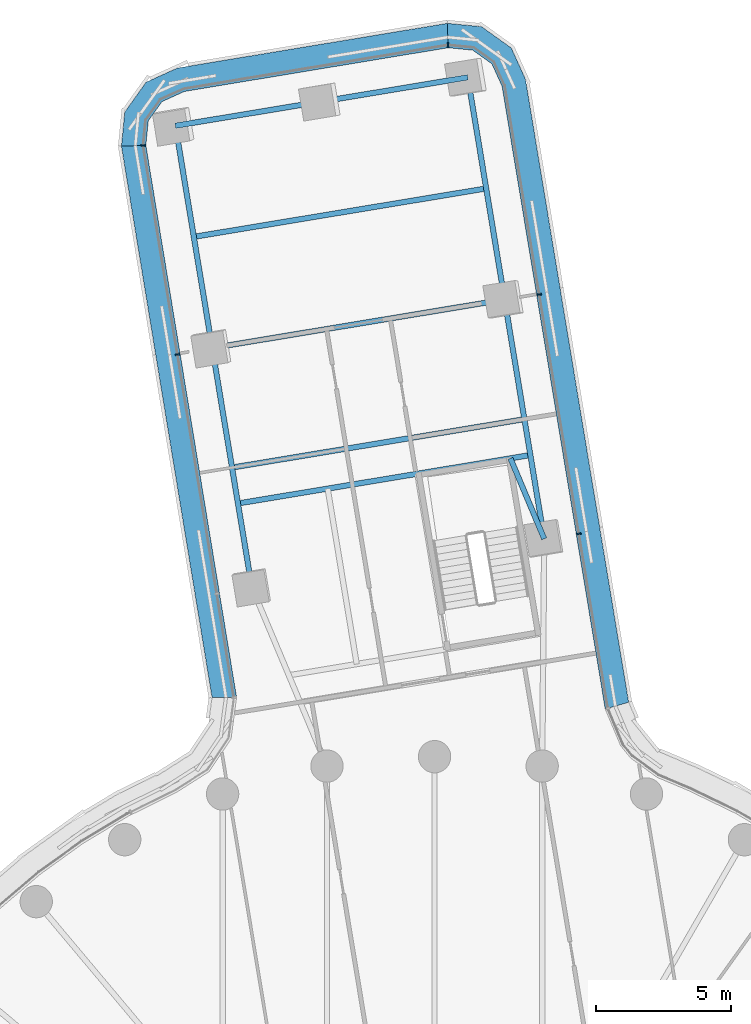
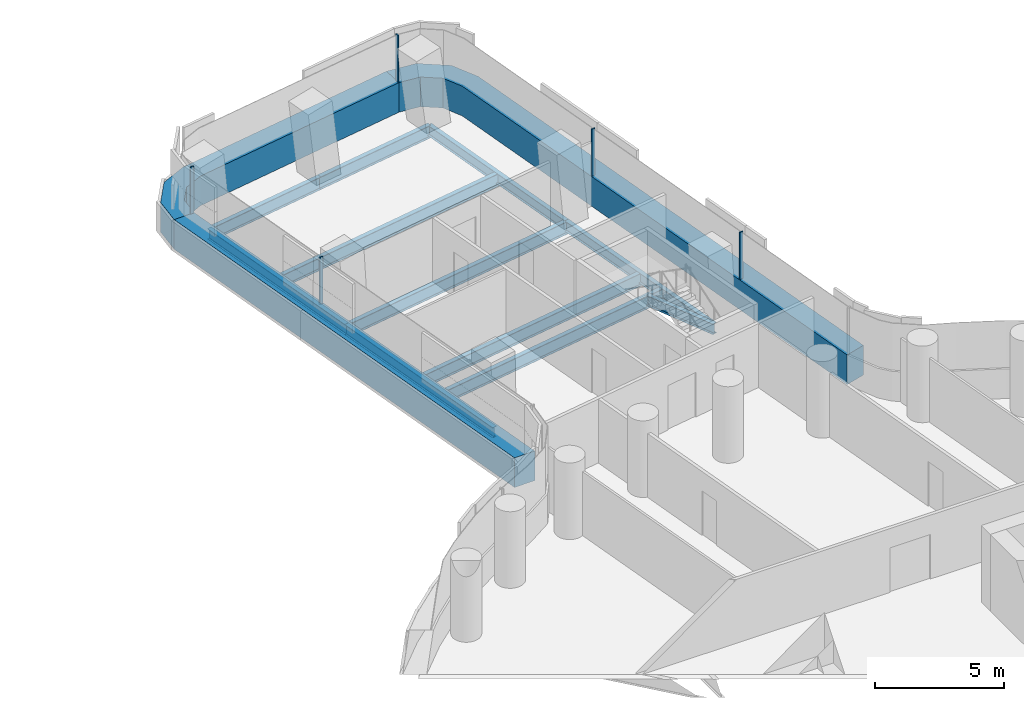
# One storey, part 17 of 32: 11 beams, 8 members, 3 elements without a shape of their own.
"""IFC4 building model written with IfcOpenShell, lengths in metres."""

from ifc_helpers import new_model, si_unit, direction, frame, origin, origin_2d, place, context, subcontext, project, spatial, polyline, rectangle, i_section, outline, extrude, material, layer, layer_set, material_profile, profile_set, type_object, element, aggregate, save


model = new_model("IFC4")

# Units and contexts
model_context = context("Model", 3, precision=1e-05, world=origin(), true_north=direction((0.0, 1.0)))
body_context = subcontext(model_context, "Body", "Model", "MODEL_VIEW")
ifc_project = project(units=[si_unit("LENGTHUNIT", "METRE"), si_unit("AREAUNIT", "SQUARE_METRE"), si_unit("VOLUMEUNIT", "CUBIC_METRE"), si_unit("PLANEANGLEUNIT", "RADIAN"), si_unit("MASSUNIT", "GRAM", prefix="KILO")], contexts=[model_context])

# Site, building, storey
site_placement = place(None, origin())
site = spatial("IfcSite", under=ifc_project, at=site_placement, CompositionType="ELEMENT")
building_placement = place(site_placement, origin())
building = spatial("IfcBuilding", under=site, at=building_placement, Name="Tamarind Cross Interchange Tower", CompositionType="ELEMENT")
storey_placement = place(building_placement, frame((0.0, 0.0, 67.75)))
storey = spatial("IfcBuildingStorey", under=building, at=storey_placement, Name="L15", CompositionType="ELEMENT", Elevation=67.75)

# Beams
ifc_material_1 = material(Name="Steel Q355B", Category="steel")
ifc_material_profile_1 = material_profile(ifc_material_1, i_section(OverallWidth=0.198974609375, OverallDepth=0.49609375, WebThickness=0.009033203125, FlangeThickness=0.013916015625, FilletRadius=0.012939453125, at=origin_2d()), Name="HN 496x199x9x14")
ifc_profile_set_1 = profile_set([ifc_material_profile_1], Name="Steel Q355B")
beam_type_1 = type_object("IfcBeamType", Name="Composite beam HN 496x199x9x14 Q355B", PredefinedType="BEAM", material=ifc_profile_set_1)
beam_1_placement = place(storey_placement, frame((1.233642578125, 48.214111328125, -0.387939453125), z_axis=(0.163385510234, -0.986562301654, 0.0), x_axis=(0.986562301654, 0.163385510234, 0.0)))
element("IfcBeam", 1, at=beam_1_placement, inside=storey, type_object=beam_type_1, Name="Beam N-edgeem5", PredefinedType="BEAM", context=body_context, shape_type="SweptSolid", body=[
    extrude(i_section(OverallWidth=0.198974609375, OverallDepth=0.49609375, WebThickness=0.009033203125, FlangeThickness=0.013916015625, FilletRadius=0.012939453125, at=origin_2d()), origin(), (0.0, 0.0, 1.0), 8.3603515625),
])
beam_2_placement = place(storey_placement, frame((2.599609375, 39.966064453125, -0.387939453125), z_axis=(0.163387129554, -0.986562033476, 0.0), x_axis=(0.986562033476, 0.163387129554, 0.0)))
element("IfcBeam", 2, at=beam_2_placement, inside=storey, type_object=beam_type_1, Name="Beam N-edgeem6", PredefinedType="BEAM", context=body_context, shape_type="SweptSolid", body=[
    extrude(i_section(OverallWidth=0.198974609375, OverallDepth=0.49609375, WebThickness=0.009033203125, FlangeThickness=0.013916015625, FilletRadius=0.012939453125, at=origin_2d()), origin(), (0.0, 0.0, 1.0), 8.999755859375),
])
beam_3_placement = place(storey_placement, frame((-9.618408203125, 46.4169921875, -0.387939453125), z_axis=(0.163357087517, -0.986567008347, 0.0), x_axis=(0.986567008347, 0.163357087517, 0.0)))
element("IfcBeam", 3, at=beam_3_placement, inside=storey, type_object=beam_type_1, Name="Beam N-edgeep2", PredefinedType="BEAM", context=body_context, shape_type="SweptSolid", body=[
    extrude(i_section(OverallWidth=0.198974609375, OverallDepth=0.49609375, WebThickness=0.009033203125, FlangeThickness=0.013916015625, FilletRadius=0.012939453125, at=origin_2d()), origin(), (0.0, 0.0, 1.0), 8.3603515625),
])
beam_4_placement = place(storey_placement, frame((-8.252685546875, 38.1689453125, -0.387939453125), z_axis=(0.163382756994, -0.986562757617, 0.0), x_axis=(0.986562757617, 0.163382756994, 0.0)))
element("IfcBeam", 4, at=beam_4_placement, inside=storey, type_object=beam_type_1, Name="Beam N-edgeep3", PredefinedType="BEAM", context=body_context, shape_type="SweptSolid", body=[
    extrude(i_section(OverallWidth=0.198974609375, OverallDepth=0.49609375, WebThickness=0.009033203125, FlangeThickness=0.013916015625, FilletRadius=0.012939453125, at=origin_2d()), origin(), (0.0, 0.0, 1.0), 9.0),
])
beam_5_placement = place(storey_placement, frame((4.070068359375, 31.087158203125, -0.387939453125), z_axis=(-0.387467047092, 0.921883554153, 0.0), x_axis=(-0.921883554153, -0.387467047092, 0.0)))
element("IfcBeam", 5, at=beam_5_placement, inside=storey, type_object=beam_type_1, Name="Beam N-tr0", PredefinedType="BEAM", context=body_context, shape_type="SweptSolid", body=[
    extrude(i_section(OverallWidth=0.198974609375, OverallDepth=0.49609375, WebThickness=0.009033203125, FlangeThickness=0.013916015625, FilletRadius=0.012939453125, at=origin_2d()), origin(), (0.0, 0.0, 1.0), 3.238037109375),
])
ifc_material_profile_2 = material_profile(ifc_material_1, i_section(OverallWidth=0.199951171875, OverallDepth=0.60009765625, WebThickness=0.010986328125, FlangeThickness=0.01708984375, FilletRadius=0.012939453125, at=origin_2d()), Name="HN 600x200x11x17")
ifc_profile_set_2 = profile_set([ifc_material_profile_2], Name="Steel Q355B")
beam_type_2 = type_object("IfcBeamType", Name="Composite beam HN 600x200x11x17 Q355B", PredefinedType="BEAM", material=ifc_profile_set_2)
for number, where, z_axis, x_axis, name in (
    (6, (1.233642578125, 48.214111328125, -0.43994140625), (-0.986560177513, -0.163398335812, 0.0), (0.163398335812, -0.986560177513, 0.0), "Beam N-tip0"),
    (7, (-4.1923828125, 47.3154296875, -0.43994140625), (-0.986567332333, -0.163355130843, 0.0), (0.163355130843, -0.986567332333, 0.0), "Beam N-tip1"),
):
    element("IfcBeam", number, at=place(storey_placement, frame(where, z_axis=z_axis, x_axis=x_axis)), inside=storey, type_object=beam_type_2, Name=name, PredefinedType="BEAM", context=body_context, shape_type="SweptSolid", body=[
        extrude(i_section(OverallWidth=0.199951171875, OverallDepth=0.60009765625, WebThickness=0.010986328125, FlangeThickness=0.01708984375, FilletRadius=0.012939453125, at=origin_2d()), origin(), (0.0, 0.0, 1.0), 5.5),
    ])
beam_6_placement = place(storey_placement, frame((3.555419921875, 34.19482421875, -0.43994140625), z_axis=(-0.986560770073, -0.163394758032, 0.0), x_axis=(0.163394758032, -0.986560770073, 0.0)))
element("IfcBeam", 8, at=beam_6_placement, inside=storey, type_object=beam_type_2, Name="Beam N-x334", PredefinedType="BEAM", context=body_context, shape_type="SweptSolid", body=[
    extrude(i_section(OverallWidth=0.199951171875, OverallDepth=0.60009765625, WebThickness=0.010986328125, FlangeThickness=0.01708984375, FilletRadius=0.012939453125, at=origin_2d()), origin(), (0.0, 0.0, 1.0), 11.000244140625),
])
beam_7_placement = place(storey_placement, frame((2.599609375, 39.966064453125, -0.43994140625), z_axis=(-0.986564347553, -0.163373156112, 0.0), x_axis=(0.163373156112, -0.986564347553, 0.0)))
element("IfcBeam", 9, at=beam_7_placement, inside=storey, type_object=beam_type_2, Name="Beam N-x393", PredefinedType="BEAM", context=body_context, shape_type="SweptSolid", body=[
    extrude(i_section(OverallWidth=0.199951171875, OverallDepth=0.60009765625, WebThickness=0.010986328125, FlangeThickness=0.01708984375, FilletRadius=0.012939453125, at=origin_2d()), origin(), (0.0, 0.0, 1.0), 11.0),
])
beam_8_placement = place(storey_placement, frame((3.334716796875, 35.526611328125, -0.43994140625), z_axis=(-0.986563755147, -0.163376733445, 0.0), x_axis=(0.163376733445, -0.986563755147, 0.0)))
element("IfcBeam", 10, at=beam_8_placement, inside=storey, type_object=beam_type_2, Name="Beam N-x348", PredefinedType="BEAM", context=body_context, shape_type="SweptSolid", body=[
    extrude(i_section(OverallWidth=0.199951171875, OverallDepth=0.60009765625, WebThickness=0.010986328125, FlangeThickness=0.01708984375, FilletRadius=0.012939453125, at=origin_2d()), origin(), (0.0, 0.0, 1.0), 10.999755859375),
])
beam_9_placement = place(storey_placement, frame((1.916748046875, 44.090087890625, -0.43994140625), z_axis=(-0.986564347553, -0.163373156112, 0.0), x_axis=(0.163373156112, -0.986564347553, 0.0)))
element("IfcBeam", 11, at=beam_9_placement, inside=storey, type_object=beam_type_2, Name="Beam N-x435", PredefinedType="BEAM", context=body_context, shape_type="SweptSolid", body=[
    extrude(i_section(OverallWidth=0.199951171875, OverallDepth=0.60009765625, WebThickness=0.010986328125, FlangeThickness=0.01708984375, FilletRadius=0.012939453125, at=origin_2d()), origin(), (0.0, 0.0, 1.0), 11.0),
])

# Curtain wall, member
ifc_material_2 = material(Name="Aluminium 6063-T6", Category="aluminium")
ifc_layer = layer(ifc_material_2, 0.159912109375)
ifc_layer_set = layer_set([ifc_layer], Name="Aluminium 6063-T6")
curtain_wall_type = type_object("IfcCurtainWallType", Name="Office curtain wall, 9.0 m bays", PredefinedType="NOTDEFINED", material=ifc_layer_set)
curtain_wall_1_placement = place(storey_placement, origin())
curtain_wall_1 = element("IfcCurtainWall", 12, at=curtain_wall_1_placement, inside=storey, type_object=curtain_wall_type, Name="CWS-L15-00", PredefinedType="NOTDEFINED")
ifc_material_3 = material(Name="Aluminium and insulated spandrel panel", Category="aluminium")
member_type_1 = type_object("IfcMemberType", Name="Floor-edge blade transom", PredefinedType="USERDEFINED", material=ifc_material_3)
member_1_placement = place(storey_placement, origin())
member_1 = element("IfcMember", 13, at=member_1_placement, type_object=member_type_1, Name="CWT-L15-00", ObjectType="TRANSOM", PredefinedType="USERDEFINED", context=body_context, shape_type="SweptSolid", body=[
    extrude(outline(polyline([(0.50537109375, 49.309814453125), (-9.2822265625, 47.68896484375), (-10.115966796875, 47.310791015625), (-10.625, 46.599609375), (-10.71435546875, 45.6884765625), (-11.62158203125, 45.658935546875), (-11.4970703125, 46.927490234375), (-10.707275390625, 48.03076171875), (-9.546142578125, 48.557373046875), (0.475341796875, 50.217041015625), (0.50537109375, 49.309814453125)])), origin(), (0.0, 0.0, 1.0), 1.39990234375),
])

curtain_wall_2_placement = place(storey_placement, origin())
curtain_wall_2 = element("IfcCurtainWall", 14, at=curtain_wall_2_placement, inside=storey, type_object=curtain_wall_type, Name="CWS-L15-01", PredefinedType="NOTDEFINED")
member_2_placement = place(storey_placement, origin())
member_2 = element("IfcMember", 15, at=member_2_placement, type_object=member_type_1, Name="CWT-L15-01", ObjectType="TRANSOM", PredefinedType="USERDEFINED", context=body_context, shape_type="SweptSolid", body=[
    extrude(outline(polyline([(-10.71435546875, 45.6884765625), (-7.347900390625, 25.204345703125), (-8.2578125, 25.1904296875), (-11.62158203125, 45.658935546875), (-10.71435546875, 45.6884765625)])), origin(), (0.0, 0.0, 1.0), 1.39990234375),
])

curtain_wall_3_placement = place(storey_placement, origin())
curtain_wall_3 = element("IfcCurtainWall", 16, at=curtain_wall_3_placement, inside=storey, type_object=curtain_wall_type, Name="CWS-L15-15", PredefinedType="NOTDEFINED")
member_3_placement = place(storey_placement, origin())
member_3 = element("IfcMember", 17, at=member_3_placement, type_object=member_type_1, Name="CWT-L15-15", ObjectType="TRANSOM", PredefinedType="USERDEFINED", context=body_context, shape_type="SweptSolid", body=[
    extrude(outline(polyline([(6.3330078125, 24.766845703125), (2.505615234375, 47.8779296875), (2.12744140625, 48.71142578125), (1.41650390625, 49.220458984375), (0.50537109375, 49.309814453125), (0.475341796875, 50.217041015625), (1.744140625, 50.0927734375), (2.847412109375, 49.302978515625), (3.374267578125, 48.141845703125), (7.20361328125, 25.0185546875), (6.3330078125, 24.766845703125)])), origin(), (0.0, 0.0, 1.0), 1.39990234375),
])

# Member
ifc_material_profile_3 = material_profile(ifc_material_2, rectangle(XDim=0.06005859375, YDim=0.159912109375, at=origin_2d()), Name="Mullion CW1")
ifc_profile_set_3 = profile_set([ifc_material_profile_3], Name="Aluminium 6063-T6")
member_type_2 = type_object("IfcMemberType", Name="Mullion CW1", PredefinedType="MULLION", material=ifc_profile_set_3)
member_4_placement = place(storey_placement, frame((0.501953125, 49.41064453125, 1.39990234375), z_axis=(0.0, 0.0, 1.0), x_axis=(-0.999448362648, -0.033210998167, 0.0)))
member_4 = element("IfcMember", 18, at=member_4_placement, type_object=member_type_2, Name="CWM-L15-00-00", PredefinedType="MULLION", context=body_context, shape_type="SweptSolid", body=[
    extrude(rectangle(XDim=0.06005859375, YDim=0.159912109375, at=origin_2d()), origin(), (0.0, 0.0, 1.0), 2.210205078125),
])

aggregate(curtain_wall_1, [member_4, member_1])

member_5_placement = place(storey_placement, frame((-10.81494140625, 45.68505859375, 1.39990234375), z_axis=(0.0, 0.0, 1.0), x_axis=(0.032594468883, -0.999468659138, 0.0)))
member_5 = element("IfcMember", 19, at=member_5_placement, type_object=member_type_2, Name="CWM-L15-01-00", PredefinedType="MULLION", context=body_context, shape_type="SweptSolid", body=[
    extrude(rectangle(XDim=0.06005859375, YDim=0.159912109375, at=origin_2d()), origin(), (0.0, 0.0, 1.0), 2.210205078125),
])

member_6_placement = place(storey_placement, frame((-9.540283203125, 37.927490234375, 1.39990234375), z_axis=(0.0, 0.0, 1.0), x_axis=(0.162163789482, -0.986763854922, 0.0)))
member_6 = element("IfcMember", 20, at=member_6_placement, type_object=member_type_2, Name="CWM-L15-01-01", PredefinedType="MULLION", context=body_context, shape_type="SweptSolid", body=[
    extrude(rectangle(XDim=0.06005859375, YDim=0.159912109375, at=origin_2d()), origin(), (0.0, 0.0, 1.0), 2.210205078125),
])

aggregate(curtain_wall_2, [member_5, member_6, member_2])

member_7_placement = place(storey_placement, frame((5.3564453125, 31.275390625, 1.39990234375), z_axis=(0.0, 0.0, 1.0), x_axis=(-0.163381062571, 0.986563038226, 0.0)))
member_7 = element("IfcMember", 21, at=member_7_placement, type_object=member_type_2, Name="CWM-L15-15-01", PredefinedType="MULLION", context=body_context, shape_type="SweptSolid", body=[
    extrude(rectangle(XDim=0.06005859375, YDim=0.159912109375, at=origin_2d()), origin(), (0.0, 0.0, 1.0), 2.210205078125),
])

member_8_placement = place(storey_placement, frame((3.88623046875, 40.1533203125, 1.39990234375), z_axis=(0.0, 0.0, 1.0), x_axis=(-0.163381062571, 0.986563038226, 0.0)))
member_8 = element("IfcMember", 22, at=member_8_placement, type_object=member_type_2, Name="CWM-L15-15-02", PredefinedType="MULLION", context=body_context, shape_type="SweptSolid", body=[
    extrude(rectangle(XDim=0.06005859375, YDim=0.159912109375, at=origin_2d()), origin(), (0.0, 0.0, 1.0), 2.210205078125),
])

aggregate(curtain_wall_3, [member_7, member_8, member_3])

save(model, "model.ifc")
